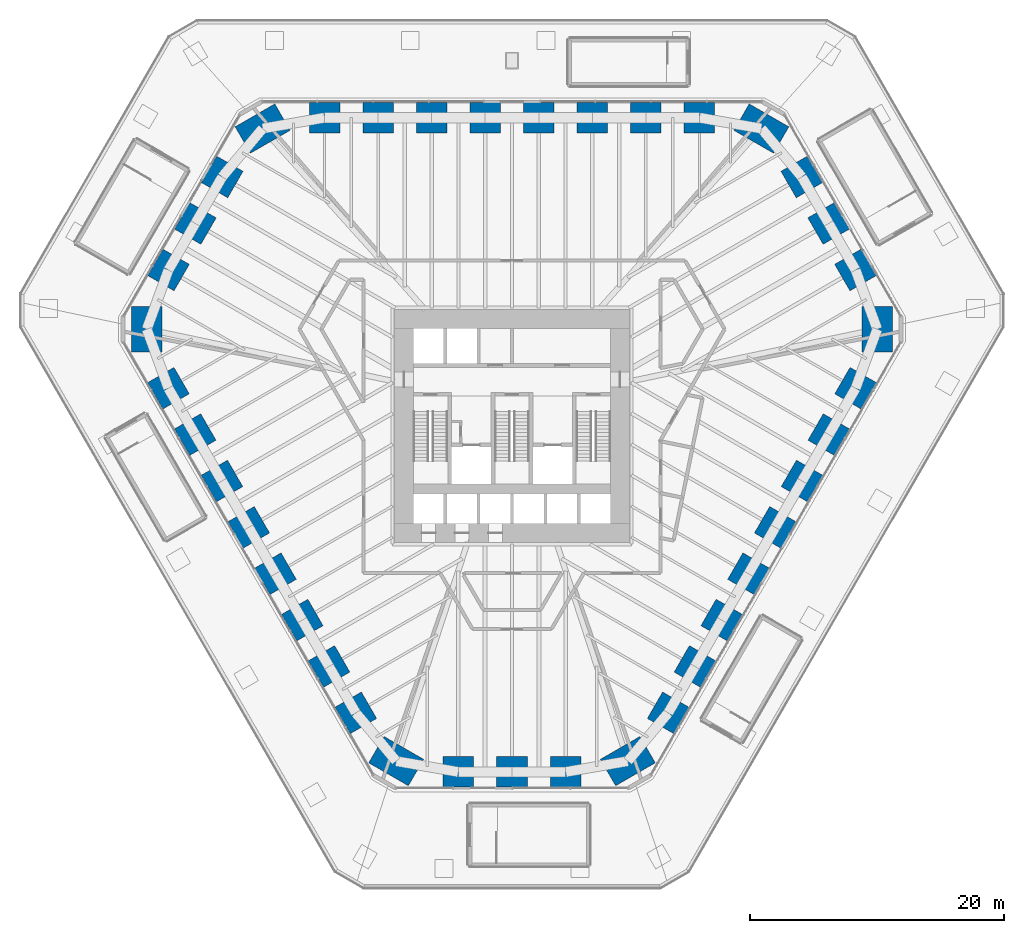
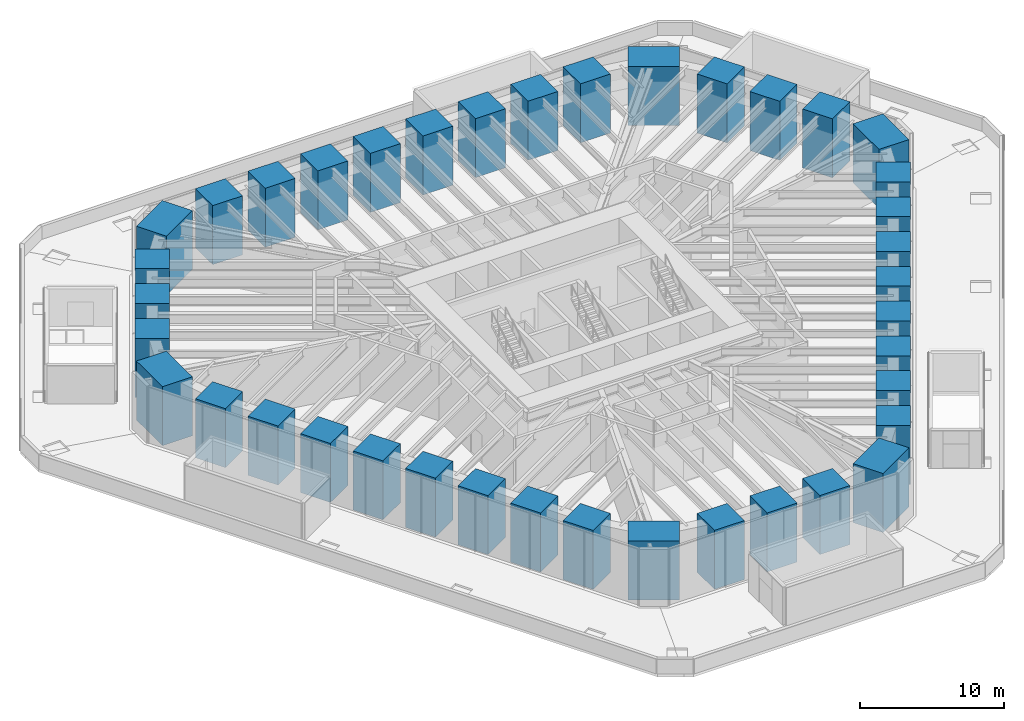
# One storey, part 1 of 20: 39 columns.
"""IFC4 building model written with IfcOpenShell, lengths in metres."""

from ifc_helpers import new_model, si_unit, direction, frame, origin, origin_2d, place, context, subcontext, project, spatial, rectangle, extrude, material, material_profile, profile_set, type_object, element, save


model = new_model("IFC4")

# Units and contexts
model_context = context("Model", 3, precision=1e-05, world=origin(), true_north=direction((0.0, 1.0)))
body_context = subcontext(model_context, "Body", "Model", "MODEL_VIEW")
ifc_project = project(units=[si_unit("LENGTHUNIT", "METRE"), si_unit("AREAUNIT", "SQUARE_METRE"), si_unit("VOLUMEUNIT", "CUBIC_METRE"), si_unit("PLANEANGLEUNIT", "RADIAN"), si_unit("MASSUNIT", "GRAM", prefix="KILO")], contexts=[model_context])

# Site, building, storey
site_placement = place(None, origin())
site = spatial("IfcSite", under=ifc_project, at=site_placement, CompositionType="ELEMENT")
building_placement = place(site_placement, origin())
building = spatial("IfcBuilding", under=site, at=building_placement, Name="Sandreach Pilgrim Tower", CompositionType="ELEMENT")
storey_placement = place(building_placement, frame((0.0, 0.0, 18.0)))
storey = spatial("IfcBuildingStorey", under=building, at=storey_placement, Name="L03", CompositionType="ELEMENT", Elevation=18.0)

# Columns
ifc_material_1 = material(Name="Concrete 10000 psi", Category="concrete")
ifc_material_profile_1 = material_profile(ifc_material_1, rectangle(XDim=2.39990234375, YDim=2.39990234375, at=origin_2d()), Name="RC2400X2400")
ifc_profile_set_1 = profile_set([ifc_material_profile_1], Name="Concrete 10000 psi")
column_type_1 = type_object("IfcColumnType", Name="Tube column RC2400X2400", PredefinedType="COLUMN", material=ifc_profile_set_1)
for number, where, z_axis, x_axis, name in (
    (1, (-14.734619140625, 22.688720703125, 0.0), (0.0, 0.0, 1.0), (0.0, 1.0, 0.0), "COL L03 T01"),
    (2, (-10.52490234375, 22.688720703125, 0.0), (0.0, 0.0, 1.0), (0.0, 1.0, 0.0), "COL L03 T02"),
    (3, (-6.31494140625, 22.688720703125, 0.0), (0.0, 0.0, 1.0), (0.0, 1.0, 0.0), "COL L03 T03"),
    (4, (-2.10498046875, 22.688720703125, 0.0), (0.0, 0.0, 1.0), (0.0, 1.0, 0.0), "COL L03 T04"),
    (5, (2.10498046875, 22.688720703125, 0.0), (0.0, 0.0, 1.0), (0.0, 1.0, 0.0), "COL L03 T05"),
    (6, (6.31494140625, 22.688720703125, 0.0), (0.0, 0.0, 1.0), (0.0, 1.0, 0.0), "COL L03 T06"),
    (7, (10.52490234375, 22.688720703125, 0.0), (0.0, 0.0, 1.0), (0.0, 1.0, 0.0), "COL L03 T07"),
    (8, (14.734619140625, 22.688720703125, 0.0), (0.0, 0.0, 1.0), (0.0, 1.0, 0.0), "COL L03 T08"),
    (9, (22.787841796875, 18.031982421875, 0.0), (0.0, 0.0, 1.0), (0.866025403784, 0.5, 0.0), "COL L03 T10"),
    (10, (24.89892578125, 14.37548828125, 0.0), (0.0, 0.0, 1.0), (0.866025403784, 0.5, 0.0), "COL L03 T11"),
    (11, (27.01025390625, 10.71875, 0.0), (0.0, 0.0, 1.0), (0.866025403784, 0.5, 0.0), "COL L03 T12"),
    (12, (27.016357421875, 1.416259765625, 0.0), (0.0, 0.0, 1.0), (0.866025403784, -0.5, 0.0), "COL L03 T14"),
    (13, (24.911376953125, -2.229736328125, 0.0), (0.0, 0.0, 1.0), (0.866025403784, -0.5, 0.0), "COL L03 T15"),
    (14, (22.806396484375, -5.87548828125, 0.0), (0.0, 0.0, 1.0), (0.866025403784, -0.5, 0.0), "COL L03 T16"),
    (15, (20.701416015625, -9.521484375, 0.0), (0.0, 0.0, 1.0), (0.866025403784, -0.5, 0.0), "COL L03 T17"),
    (16, (18.596435546875, -13.167236328125, 0.0), (0.0, 0.0, 1.0), (0.866025403784, -0.5, 0.0), "COL L03 T18"),
    (17, (16.491455078125, -16.813232421875, 0.0), (0.0, 0.0, 1.0), (0.866025403784, -0.5, 0.0), "COL L03 T19"),
    (18, (14.38671875, -20.458984375, 0.0), (0.0, 0.0, 1.0), (0.866025403784, -0.5, 0.0), "COL L03 T20"),
    (19, (12.28173828125, -24.10498046875, 0.0), (0.0, 0.0, 1.0), (0.866025403784, -0.5, 0.0), "COL L03 T21"),
    (20, (4.222412109375, -28.7509765625, 0.0), (0.0, 0.0, 1.0), (0.0, -1.0, 0.0), "COL L03 T23"),
    (21, (0.0, -28.7509765625, 0.0), (0.0, 0.0, 1.0), (0.0, -1.0, 0.0), "COL L03 T24"),
    (22, (-4.222412109375, -28.7509765625, 0.0), (0.0, 0.0, 1.0), (0.0, -1.0, 0.0), "COL L03 T25"),
    (23, (-12.28173828125, -24.10498046875, 0.0), (0.0, 0.0, 1.0), (-0.866025403784, -0.5, 0.0), "COL L03 T27"),
    (24, (-14.38671875, -20.458984375, 0.0), (0.0, 0.0, 1.0), (-0.866025403784, -0.5, 0.0), "COL L03 T28"),
    (25, (-16.491455078125, -16.813232421875, 0.0), (0.0, 0.0, 1.0), (-0.866025403784, -0.5, 0.0), "COL L03 T29"),
    (26, (-18.596435546875, -13.167236328125, 0.0), (0.0, 0.0, 1.0), (-0.866025403784, -0.5, 0.0), "COL L03 T30"),
    (27, (-20.701416015625, -9.521484375, 0.0), (0.0, 0.0, 1.0), (-0.866025403784, -0.5, 0.0), "COL L03 T31"),
    (28, (-22.806396484375, -5.87548828125, 0.0), (0.0, 0.0, 1.0), (-0.866025403784, -0.5, 0.0), "COL L03 T32"),
    (29, (-24.911376953125, -2.229736328125, 0.0), (0.0, 0.0, 1.0), (-0.866025403784, -0.5, 0.0), "COL L03 T33"),
    (30, (-27.016357421875, 1.416259765625, 0.0), (0.0, 0.0, 1.0), (-0.866025403784, -0.5, 0.0), "COL L03 T34"),
    (31, (-27.01025390625, 10.71875, 0.0), (0.0, 0.0, 1.0), (-0.866025403784, 0.5, 0.0), "COL L03 T36"),
    (32, (-24.89892578125, 14.37548828125, 0.0), (0.0, 0.0, 1.0), (-0.866025403784, 0.5, 0.0), "COL L03 T37"),
    (33, (-22.787841796875, 18.031982421875, 0.0), (0.0, 0.0, 1.0), (-0.866025403784, 0.5, 0.0), "COL L03 T38"),
):
    element("IfcColumn", number, at=place(storey_placement, frame(where, z_axis=z_axis, x_axis=x_axis)), inside=storey, type_object=column_type_1, Name=name, PredefinedType="COLUMN", context=body_context, shape_type="SweptSolid", body=[
        extrude(rectangle(XDim=2.39990234375, YDim=2.39990234375, at=origin_2d()), origin(), (0.0, 0.0, 1.0), 5.0),
    ])
ifc_material_2 = material(Name="Concrete 10000 psi", Category="concrete")
ifc_material_profile_2 = material_profile(ifc_material_2, rectangle(XDim=2.39990234375, YDim=3.60009765625, at=origin_2d()), Name="RC2400X3600")
ifc_profile_set_2 = profile_set([ifc_material_profile_2], Name="Concrete 10000 psi")
column_type_2 = type_object("IfcColumnType", Name="Tube corner pier RC2400X3600", PredefinedType="COLUMN", material=ifc_profile_set_2)
for number, where, z_axis, x_axis, name in (
    (34, (19.6064453125, 21.834716796875, 0.0), (0.0, 0.0, 1.0), (0.5, 0.866025403784, 0.0), "COL L03 T09"),
    (35, (28.712646484375, 6.062255859375, 0.0), (0.0, 0.0, 1.0), (1.0, 0.0, 0.0), "COL L03 T13"),
    (36, (9.1064453125, -27.89697265625, 0.0), (0.0, 0.0, 1.0), (0.5, -0.866025403784, 0.0), "COL L03 T22"),
    (37, (-9.1064453125, -27.89697265625, 0.0), (0.0, 0.0, 1.0), (-0.5, -0.866025403784, 0.0), "COL L03 T26"),
    (38, (-28.712646484375, 6.062255859375, 0.0), (0.0, 0.0, 1.0), (-1.0, 0.0, 0.0), "COL L03 T35"),
    (39, (-19.6064453125, 21.834716796875, 0.0), (0.0, 0.0, 1.0), (-0.5, 0.866025403784, 0.0), "COL L03 T39"),
):
    element("IfcColumn", number, at=place(storey_placement, frame(where, z_axis=z_axis, x_axis=x_axis)), inside=storey, type_object=column_type_2, Name=name, PredefinedType="COLUMN", context=body_context, shape_type="SweptSolid", body=[
        extrude(rectangle(XDim=2.39990234375, YDim=3.60009765625, at=origin_2d()), origin(), (0.0, 0.0, 1.0), 5.0),
    ])

save(model, "model.ifc")
